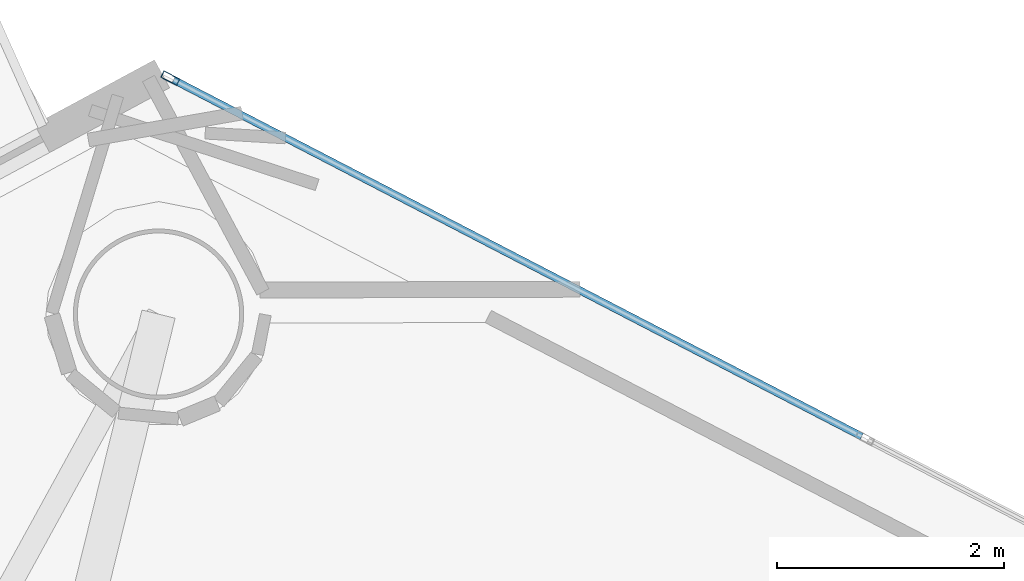
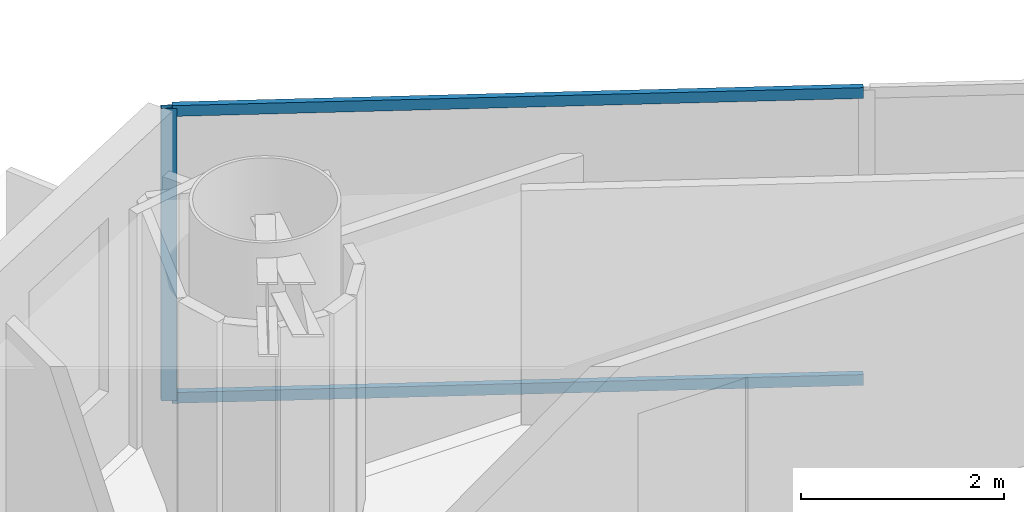
# One storey, part 14 of 21: 3 members, 1 element without a shape of its own.
"""IFC4 building model written with IfcOpenShell, lengths in metres."""

from ifc_helpers import new_model, si_unit, direction, frame, origin, origin_2d, place, context, subcontext, project, spatial, hollow_rectangle, extrude, material, layer, layer_set, material_profile, profile_set, type_object, element, aggregate, save


model = new_model("IFC4")

# Units and contexts
model_context = context("Model", 3, precision=1e-05, world=origin(), true_north=direction((0.0, 1.0)))
body_context = subcontext(model_context, "Body", "Model", "MODEL_VIEW")
ifc_project = project(units=[si_unit("LENGTHUNIT", "METRE"), si_unit("AREAUNIT", "SQUARE_METRE"), si_unit("VOLUMEUNIT", "CUBIC_METRE"), si_unit("PLANEANGLEUNIT", "RADIAN"), si_unit("MASSUNIT", "GRAM", prefix="KILO")], contexts=[model_context])

# Site, building, storey
site_placement = place(None, origin())
site = spatial("IfcSite", under=ifc_project, at=site_placement, CompositionType="ELEMENT")
building_placement = place(site_placement, origin())
building = spatial("IfcBuilding", under=site, at=building_placement, Name="Qianvela Tower", CompositionType="ELEMENT")
storey_placement = place(building_placement, frame((0.0, 0.0, 131.10009765625)))
storey = spatial("IfcBuildingStorey", under=building, at=storey_placement, Name="L33", CompositionType="ELEMENT", Elevation=131.10009765625)

# Curtain wall, members
ifc_material_1 = material(Name="Anodised Architectural Aluminium and Low-E Glass", Category="aluminium")
ifc_layer = layer(ifc_material_1, 0.169921875)
ifc_layer_set = layer_set([ifc_layer], Name="Anodised Architectural Aluminium and Low-E Glass")
curtain_wall_type = type_object("IfcCurtainWallType", Name="CW-COLIV-Z34", PredefinedType="USERDEFINED", material=ifc_layer_set)
curtain_wall_placement = place(storey_placement, origin())
curtain_wall = element("IfcCurtainWall", 1, at=curtain_wall_placement, inside=storey, type_object=curtain_wall_type, Name="L33 CW-COLIV-Z34 Curtain Wall 02C", ObjectType="CURTAIN_WALL_SYSTEM", PredefinedType="USERDEFINED")
ifc_material_2 = material(Name="Anodised Architectural Aluminium 6063-T6", Category="aluminium")
ifc_material_profile_1 = material_profile(ifc_material_2, hollow_rectangle(XDim=0.06494140625, YDim=0.159912109375, WallThickness=0.0048828125, at=origin_2d()), Name="ALU-MULL-65x160")
ifc_profile_set_1 = profile_set([ifc_material_profile_1], Name="Anodised Architectural Aluminium 6063-T6")
member_type_1 = type_object("IfcMemberType", Name="CW-COLIV-Z34-MULL", PredefinedType="MULLION", material=ifc_profile_set_1)
member_1_placement = place(storey_placement, frame((30.667724609375, 43.598876953125, 0.0), z_axis=(0.0, 0.0, 1.0), x_axis=(-0.460094279682, -0.887870065834, 0.0)))
member_1 = element("IfcMember", 2, at=member_1_placement, type_object=member_type_1, Name="CW-4 mullion 3", PredefinedType="MULLION", context=body_context, shape_type="SweptSolid", body=[
    extrude(hollow_rectangle(XDim=0.06494140625, YDim=0.159912109375, WallThickness=0.0048828125, at=origin_2d()), origin(), (0.0, 0.0, 1.0), 3.52001953125),
])
ifc_material_3 = material(Name="Anodised Architectural Aluminium 6063-T6", Category="aluminium")
ifc_material_profile_2 = material_profile(ifc_material_3, hollow_rectangle(XDim=0.06494140625, YDim=0.1298828125, WallThickness=0.00439453125, at=origin_2d()), Name="ALU-TRAN-65x130")
ifc_profile_set_2 = profile_set([ifc_material_profile_2], Name="Anodised Architectural Aluminium 6063-T6")
member_type_2 = type_object("IfcMemberType", Name="CW-COLIV-Z34-TRAN", PredefinedType="USERDEFINED", material=ifc_profile_set_2)
member_2_placement = place(storey_placement, frame((36.755615234375, 40.444091796875, 0.032470703125), z_axis=(-0.887865505022, 0.460103080832, 0.0), x_axis=(-0.460103080832, -0.887865505022, 0.0)))
member_2 = element("IfcMember", 3, at=member_2_placement, type_object=member_type_2, Name="CW-4 transom 2.1", ObjectType="TRANSOM", PredefinedType="USERDEFINED", context=body_context, shape_type="SweptSolid", body=[
    extrude(hollow_rectangle(XDim=0.06494140625, YDim=0.1298828125, WallThickness=0.00439453125, at=origin_2d()), origin(), (0.0, 0.0, 1.0), 6.82421875),
])
member_3_placement = place(storey_placement, frame((36.755615234375, 40.444091796875, 3.4873046875), z_axis=(-0.887865505022, 0.460103080832, 0.0), x_axis=(-0.460103080832, -0.887865505022, 0.0)))
member_3 = element("IfcMember", 4, at=member_3_placement, type_object=member_type_2, Name="CW-4 transom 2.2", ObjectType="TRANSOM", PredefinedType="USERDEFINED", context=body_context, shape_type="SweptSolid", body=[
    extrude(hollow_rectangle(XDim=0.06494140625, YDim=0.1298828125, WallThickness=0.00439453125, at=origin_2d()), origin(), (0.0, 0.0, 1.0), 6.82421875),
])
aggregate(curtain_wall, [member_1, member_2, member_3])

save(model, "model.ifc")
